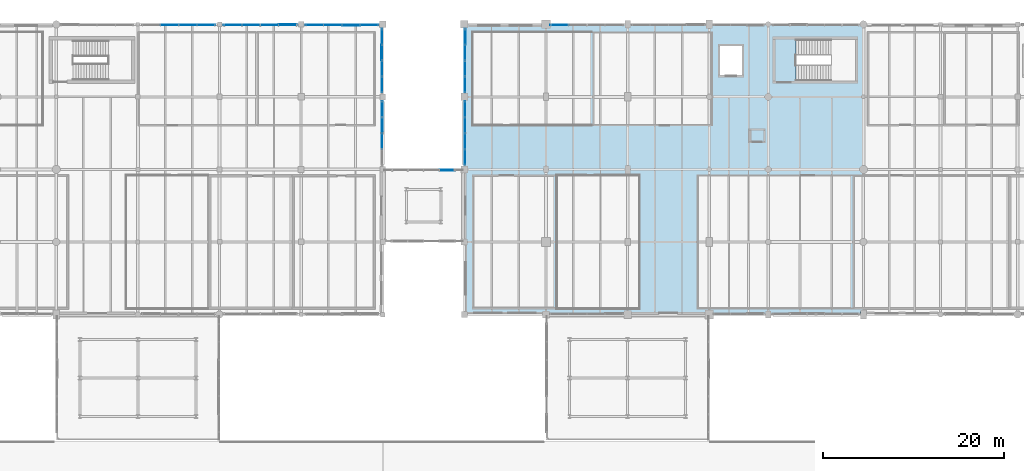
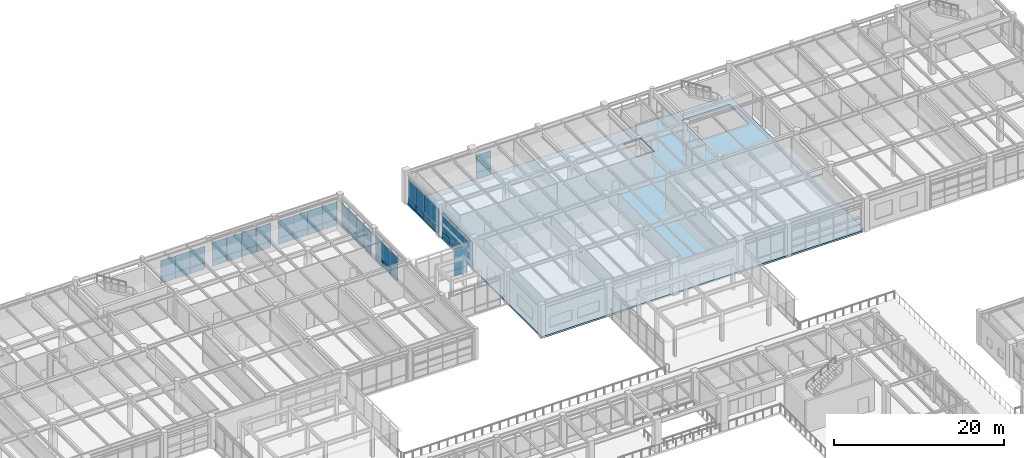
# One storey, part 162 of 200: 56 plates, 1 slab, 9 elements without a shape of their own.
"""IFC4 building model written with IfcOpenShell, lengths in metres."""

import ifcopenshell
import ifcopenshell.guid

model = None  # the IFC model being written
_history = None  # IfcOwnerHistory: only IFC2X3 demands one
_inside = {}  # id of a spatial element -> (the spatial element, [elements in it])
_under = {}  # id of a project, library or spatial element -> (it, [spatial elements below it])
_declared = {}  # id of a project -> (the project, [libraries it declares])
_typed = {}  # id of a type object -> (the type object, [elements of that type])
_made_of = {}  # id of a material, layer set ... -> (it, [elements and type objects made of it])


def new_model(schema):
    """Start an empty IFC model of exactly this schema.

    Asked for "IFC4X3", IfcOpenShell would pick the latest addendum, in which some entities
    have other attributes; the version numbers below select the first issue.
    IFC2X3 requires an IfcOwnerHistory on every rooted entity: one is made here for all.
    """
    global model, _history
    if schema == "IFC4X3":
        model = ifcopenshell.file(schema_version=(4, 3, 0, 0))
    else:
        model = ifcopenshell.file(schema=schema)
    _inside.clear()
    _under.clear()
    _declared.clear()
    _typed.clear()
    _made_of.clear()
    _history = None
    if model.schema == "IFC2X3":
        org = make("IfcOrganization", Name="unknown")
        user = make(
            "IfcPersonAndOrganization",
            ThePerson=make("IfcPerson", FamilyName="unknown"),
            TheOrganization=org,
        )
        app = make(
            "IfcApplication",
            ApplicationDeveloper=org,
            Version="unknown",
            ApplicationFullName="unknown",
            ApplicationIdentifier="unknown",
        )
        _history = make(
            "IfcOwnerHistory",
            OwningUser=user,
            OwningApplication=app,
            ChangeAction="ADDED",
            CreationDate=0,
        )
    return model


def make(cls, **values):
    """One entity of the class cls with the attributes given. An attribute that is None is left unset."""
    return model.create_entity(
        cls, **{name: value for name, value in values.items() if value is not None}
    )


def rooted(cls, **values):
    """An entity with a GlobalId (a new one), such as an element, a storey or a relation."""
    return make(cls, GlobalId=ifcopenshell.guid.new(), OwnerHistory=_history, **values)


def si_unit(unit_type, name, prefix=None):
    """IfcSIUnit, for example si_unit("LENGTHUNIT", "METRE", prefix="MILLI")."""
    return make("IfcSIUnit", UnitType=unit_type, Prefix=prefix, Name=name)


def assignment(units):
    """IfcUnitAssignment: the units of a project."""
    return None if units is None else make("IfcUnitAssignment", Units=units)


def point(xyz):
    """IfcCartesianPoint."""
    return None if xyz is None else make("IfcCartesianPoint", Coordinates=xyz)


def direction(xyz):
    """IfcDirection."""
    return None if xyz is None else make("IfcDirection", DirectionRatios=xyz)


def frame(location, z_axis=None, x_axis=None):
    """IfcAxis2Placement3D, a coordinate frame: its origin and axes. An axis left out is left unset."""
    return make(
        "IfcAxis2Placement3D",
        Location=point(location),
        Axis=direction(z_axis),
        RefDirection=direction(x_axis),
    )


def frame_2d(location, x_axis=None):
    """IfcAxis2Placement2D, a coordinate frame in the plane: its origin and x axis."""
    return make(
        "IfcAxis2Placement2D", Location=point(location), RefDirection=direction(x_axis)
    )


def origin():
    """The frame at (0, 0, 0) with its axes left unset."""
    return frame((0.0, 0.0, 0.0))


def origin_2d():
    """The frame at (0, 0) in the plane with its x axis left unset."""
    return frame_2d((0.0, 0.0))


def place(relative_to, where):
    """IfcLocalPlacement: puts the frame where relative to a parent placement (None: the world)."""
    return make(
        "IfcLocalPlacement", PlacementRelTo=relative_to, RelativePlacement=where
    )


def context(
    kind, dimensions, precision=None, world=None, true_north=None, identifier=None
):
    """IfcGeometricRepresentationContext, for example the 3D "Model" context."""
    return make(
        "IfcGeometricRepresentationContext",
        ContextIdentifier=identifier,
        ContextType=kind,
        CoordinateSpaceDimension=dimensions,
        Precision=precision,
        WorldCoordinateSystem=world,
        TrueNorth=true_north,
    )


def subcontext(parent, identifier, kind, view, scale=None):
    """IfcGeometricRepresentationSubContext, for example "Body" below "Model"."""
    return make(
        "IfcGeometricRepresentationSubContext",
        ContextIdentifier=identifier,
        ContextType=kind,
        ParentContext=parent,
        TargetScale=scale,
        TargetView=view,
    )


def project(units=None, contexts=None):
    """IfcProject with its units and contexts."""
    return rooted(
        "IfcProject",
        Name="project",
        RepresentationContexts=contexts,
        UnitsInContext=assignment(units),
    )


def spatial(cls, under=None, at=None, **own):
    """A site, building, storey or space (cls), placed at a placement, below another one or the project."""
    s = rooted(cls, ObjectPlacement=at, **own)
    if under is not None:
        _under.setdefault(under.id(), (under, []))[1].append(s)
    return s


def polyline(points):
    """IfcPolyline through the points."""
    return make("IfcPolyline", Points=[point(p) for p in points])


def profile(cls, at=None, kind="AREA", **sizes):
    """A parametric profile (cls). Its sizes go by their IFC names, for example OverallWidth=200.0."""
    return make(cls, ProfileType=kind, Position=at, **sizes)


def rectangle(**sizes):
    """IfcRectangleProfileDef."""
    return profile("IfcRectangleProfileDef", **sizes)


def outline(outer, holes=None, kind="AREA"):
    """IfcArbitraryClosedProfileDef: a profile drawn as a closed curve; with holes, ...WithVoids."""
    if holes is None:
        return make("IfcArbitraryClosedProfileDef", ProfileType=kind, OuterCurve=outer)
    return make(
        "IfcArbitraryProfileDefWithVoids",
        ProfileType=kind,
        OuterCurve=outer,
        InnerCurves=holes,
    )


def extrude(swept, where, along, depth):
    """IfcExtrudedAreaSolid: the profile swept, set in the frame where, extruded along a direction by depth."""
    return make(
        "IfcExtrudedAreaSolid",
        SweptArea=swept,
        Position=where,
        ExtrudedDirection=direction(along),
        Depth=depth,
    )


def shape(context_of_items, identifier, shape_type, items):
    """IfcShapeRepresentation: the items that make up one representation, for example the "Body"."""
    return make(
        "IfcShapeRepresentation",
        ContextOfItems=context_of_items,
        RepresentationIdentifier=identifier,
        RepresentationType=shape_type,
        Items=items,
    )


def material(Name=None, Category=None):
    """IfcMaterial."""
    return make("IfcMaterial", Name=Name, Category=Category)


def layer(
    of_material, thickness, ventilated=None, Name=None, Category=None, Priority=None
):
    """IfcMaterialLayer: one layer of a wall or slab, of a material (None: an air gap)."""
    return make(
        "IfcMaterialLayer",
        Material=of_material,
        LayerThickness=thickness,
        IsVentilated=ventilated,
        Name=Name,
        Category=Category,
        Priority=Priority,
    )


def layer_set(layers, Name=None):
    """IfcMaterialLayerSet."""
    return make("IfcMaterialLayerSet", MaterialLayers=layers, LayerSetName=Name)


def made_of(thing, what):
    """Note that an element or type object is made of a material, layer set ...; save() writes the relation."""
    if what is not None:
        _made_of.setdefault(what.id(), (what, []))[1].append(thing)
    return thing


def type_object(cls, material=None, **own):
    """A type object (cls), such as IfcWallType, which elements share."""
    return made_of(rooted(cls, **own), material)


def element(
    cls,
    number,
    at=None,
    inside=None,
    cuts=None,
    type_object=None,
    material=None,
    context=None,
    identifier="Body",
    shape_type=None,
    held_by="IfcProductDefinitionShape",
    body=None,
    shapes=None,
    **own,
):
    """One element of the class cls, such as IfcWall. Its Tag is "e" and its number.

    at: its placement. inside: the storey or other place that contains it. cuts: it is an
    opening in that element (IfcRelVoidsElement). A single representation is given by context,
    identifier, shape_type and body (its items); several are given by shapes. held_by: the class
    of the entity that holds the representations. save() writes the other relations.
    """
    e = rooted(cls, Tag="e%d" % number, ObjectPlacement=at, **own)
    if body is not None:
        shapes = [shape(context, identifier, shape_type, body)]
    if shapes is not None:
        e.Representation = make(held_by, Representations=shapes)
    if inside is not None:
        _inside.setdefault(inside.id(), (inside, []))[1].append(e)
    if cuts is not None:
        rooted(
            "IfcRelVoidsElement", RelatingBuildingElement=cuts, RelatedOpeningElement=e
        )
    if type_object is not None:
        _typed.setdefault(type_object.id(), (type_object, []))[1].append(e)
    return made_of(e, material)


def aggregate(whole, parts):
    """IfcRelAggregates: a whole, such as a stair, and the parts it consists of."""
    return rooted("IfcRelAggregates", RelatingObject=whole, RelatedObjects=parts)


def save(model, path):
    """Write the relations noted so far, then the file.

    IfcRelAggregates (storeys below a building ...), IfcRelContainedInSpatialStructure (elements
    in a storey), IfcRelDefinesByType, IfcRelAssociatesMaterial and IfcRelDeclares: one each for
    every whole, place, type object, material and project.
    """
    for whole, parts in _under.values():
        aggregate(whole, parts)
    for where, things in _inside.values():
        rooted(
            "IfcRelContainedInSpatialStructure",
            RelatedElements=things,
            RelatingStructure=where,
        )
    for kind, things in _typed.values():
        rooted("IfcRelDefinesByType", RelatedObjects=things, RelatingType=kind)
    for what, things in _made_of.values():
        rooted("IfcRelAssociatesMaterial", RelatedObjects=things, RelatingMaterial=what)
    for by, libraries in _declared.values():
        rooted("IfcRelDeclares", RelatingContext=by, RelatedDefinitions=libraries)
    model.write(path)


model = new_model("IFC4")

# Units and contexts
model_context = context("Model", 3, precision=1e-05, world=origin(), true_north=direction((0.0, 1.0)))
body_context = subcontext(model_context, "Body", "Model", "MODEL_VIEW")
ifc_project = project(units=[si_unit("LENGTHUNIT", "METRE"), si_unit("AREAUNIT", "SQUARE_METRE"), si_unit("VOLUMEUNIT", "CUBIC_METRE"), si_unit("PLANEANGLEUNIT", "RADIAN"), si_unit("MASSUNIT", "GRAM", prefix="KILO"), si_unit("THERMODYNAMICTEMPERATUREUNIT", "KELVIN"), si_unit("POWERUNIT", "WATT")], contexts=[model_context])

# Site, building, storey
site_placement = place(None, origin())
site = spatial("IfcSite", under=ifc_project, at=site_placement, CompositionType="ELEMENT")
building_placement = place(site_placement, origin())
building = spatial("IfcBuilding", under=site, at=building_placement, Name="Tepalcoro Natatorium and Aquatics Centre", CompositionType="ELEMENT")
storey_placement = place(building_placement, frame((0.0, 0.0, 5.39990234375)))
storey = spatial("IfcBuildingStorey", under=building, at=storey_placement, Name="L01", CompositionType="ELEMENT", Elevation=5.39990234375)

# Curtain wall, plate
ifc_material_1 = material(Name="Bronze-Anodised Extruded Aluminium Alloy EN AW-6063 T6", Category="aluminium")
curtain_wall_type_1 = type_object("IfcCurtainWallType", Name="CW_V3_FOYER", PredefinedType="USERDEFINED", material=ifc_material_1)
curtain_wall_1_placement = place(storey_placement, origin())
curtain_wall_1 = element("IfcCurtainWall", 1, at=curtain_wall_1_placement, inside=storey, type_object=curtain_wall_type_1, Name="V4 L01 N Unitised Curtain Wall Bay 7", ObjectType="UNITISED STOREFRONT", PredefinedType="USERDEFINED")
ifc_material_2 = material(Name="Solar-Control Bronze Tempered Low-E Double Glazing", Category="glass")
ifc_layer_1 = layer(ifc_material_2, 0.048095703125)
ifc_layer_set_1 = layer_set([ifc_layer_1], Name="Solar-Control Bronze Tempered Low-E Double Glazing")
plate_type_1 = type_object("IfcPlateType", Name="PL_ACOUSTIC_IGU_48", PredefinedType="CURTAIN_PANEL", material=ifc_layer_set_1)
plate_1_placement = place(storey_placement, frame((65.4951171875, 117.919921875, 0.960205078125), z_axis=(0.0, 0.0, 1.0), x_axis=(1.0, 0.0, 0.0)))
plate_1 = element("IfcPlate", 2, at=plate_1_placement, type_object=plate_type_1, Name="CW_V3_FOYER Insulated Glazing Unit", PredefinedType="CURTAIN_PANEL", context=body_context, shape_type="SweptSolid", body=[
    extrude(rectangle(XDim=1.989990234375, YDim=0.048095703125, at=origin_2d()), origin(), (0.0, 0.0, 1.0), 2.337890625),
])

# Curtain wall, plates
curtain_wall_type_2 = type_object("IfcCurtainWallType", Name="CW_V4_VILLAGE", PredefinedType="USERDEFINED", material=ifc_material_1)
curtain_wall_2_placement = place(storey_placement, origin())
curtain_wall_2 = element("IfcCurtainWall", 3, at=curtain_wall_2_placement, inside=storey, type_object=curtain_wall_type_2, Name="V4 L01 N Unitised Curtain Wall Bay 8", ObjectType="UNITISED STOREFRONT", PredefinedType="USERDEFINED")
plate_2_placement = place(storey_placement, frame((72.485107421875, 117.923828125, 0.9599609375), z_axis=(0.0, 0.0, 1.0), x_axis=(1.0, 0.0, 0.0)))
plate_2 = element("IfcPlate", 4, at=plate_2_placement, type_object=plate_type_1, Name="CW_V4_VILLAGE Insulated Glazing Unit", PredefinedType="CURTAIN_PANEL", context=body_context, shape_type="SweptSolid", body=[
    extrude(rectangle(XDim=1.989990234375, YDim=0.048095703125, at=origin_2d()), origin(), (0.0, 0.0, 1.0), 2.537109375),
])
plate_3_placement = place(storey_placement, frame((78.514892578125, 117.923828125, 0.9599609375), z_axis=(0.0, 0.0, 1.0), x_axis=(1.0, 0.0, 0.0)))
plate_3 = element("IfcPlate", 5, at=plate_3_placement, type_object=plate_type_1, Name="CW_V4_VILLAGE Insulated Glazing Unit", PredefinedType="CURTAIN_PANEL", context=body_context, shape_type="SweptSolid", body=[
    extrude(rectangle(XDim=1.989990234375, YDim=0.048095703125, at=origin_2d()), origin(), (0.0, 0.0, 1.0), 2.537109375),
])

# Curtain wall, plate
curtain_wall_type_3 = type_object("IfcCurtainWallType", Name="CW_V5_LOWER", PredefinedType="USERDEFINED", material=ifc_material_1)
curtain_wall_3_placement = place(storey_placement, origin())
curtain_wall_3 = element("IfcCurtainWall", 6, at=curtain_wall_3_placement, inside=storey, type_object=curtain_wall_type_3, Name="V4 L01 N Unitised Curtain Wall Bay 9", ObjectType="UNITISED STOREFRONT", PredefinedType="USERDEFINED")
plate_4_placement = place(storey_placement, frame((85.5048828125, 117.919921875, 0.9599609375), z_axis=(0.0, 0.0, 1.0), x_axis=(1.0, 0.0, 0.0)))
plate_4 = element("IfcPlate", 7, at=plate_4_placement, type_object=plate_type_1, Name="CW_V5_LOWER Insulated Glazing Unit", PredefinedType="CURTAIN_PANEL", context=body_context, shape_type="SweptSolid", body=[
    extrude(rectangle(XDim=1.989990234375, YDim=0.048095703125, at=origin_2d()), origin(), (0.0, 0.0, 1.0), 2.489990234375),
])

curtain_wall_type_4 = type_object("IfcCurtainWallType", Name="CW_LEAN_T2_EW", PredefinedType="USERDEFINED", material=ifc_material_1)
curtain_wall_4_placement = place(storey_placement, origin())
curtain_wall_4 = element("IfcCurtainWall", 8, at=curtain_wall_4_placement, inside=storey, type_object=curtain_wall_type_4, Name="V4 L01 E Unitised Curtain Wall Bay 3", ObjectType="FACETED SOLAR GLAZING", PredefinedType="USERDEFINED")
plate_5_placement = place(storey_placement, frame((88.9287109375, 105.1201171875, 0.9599609375), z_axis=(0.0, 0.0, 1.0), x_axis=(1.0, 0.0, 0.0)))
plate_5 = element("IfcPlate", 9, at=plate_5_placement, type_object=plate_type_1, Name="CW_LEAN_T2_EW Insulated Glazing Unit", PredefinedType="CURTAIN_PANEL", context=body_context, shape_type="SweptSolid", body=[
    extrude(rectangle(XDim=0.048095703125, YDim=1.739990234375, at=origin_2d()), origin(), (0.0, 0.0, 1.0), 2.489990234375),
])

# Curtain wall, plates
curtain_wall_type_5 = type_object("IfcCurtainWallType", Name="CW_V1_PLINTH", PredefinedType="USERDEFINED", material=ifc_material_1)
curtain_wall_5_placement = place(storey_placement, origin())
curtain_wall_5 = element("IfcCurtainWall", 10, at=curtain_wall_5_placement, inside=storey, type_object=curtain_wall_type_5, Name="V4 L01 E Unitised Curtain Wall Bay 4", ObjectType="UNITISED STOREFRONT", PredefinedType="USERDEFINED")
plate_6_placement = place(storey_placement, frame((88.909912109375, 111.360107421875, 0.9599609375), z_axis=(0.0, 0.0, 1.0), x_axis=(1.0, 0.0, 0.0)))
plate_6 = element("IfcPlate", 11, at=plate_6_placement, type_object=plate_type_1, Name="CW_V1_PLINTH Insulated Glazing Unit", PredefinedType="CURTAIN_PANEL", context=body_context, shape_type="SweptSolid", body=[
    extrude(rectangle(XDim=0.048095703125, YDim=1.739990234375, at=origin_2d()), origin(), (0.0, 0.0, 1.0), 2.4140625),
])
plate_7_placement = place(storey_placement, frame((88.909912109375, 116.639892578125, 0.9599609375), z_axis=(0.0, 0.0, 1.0), x_axis=(1.0, 0.0, 0.0)))
plate_7 = element("IfcPlate", 12, at=plate_7_placement, type_object=plate_type_1, Name="CW_V1_PLINTH Insulated Glazing Unit", PredefinedType="CURTAIN_PANEL", context=body_context, shape_type="SweptSolid", body=[
    extrude(rectangle(XDim=0.048095703125, YDim=1.739990234375, at=origin_2d()), origin(), (0.0, 0.0, 1.0), 2.4140625),
])

# Curtain wall, plate
curtain_wall_type_6 = type_object("IfcCurtainWallType", Name="CW_LEAN_T1_EW", PredefinedType="USERDEFINED", material=ifc_material_1)
curtain_wall_6_placement = place(storey_placement, origin())
curtain_wall_6 = element("IfcCurtainWall", 13, at=curtain_wall_6_placement, inside=storey, type_object=curtain_wall_type_6, Name="V5 L01 N Unitised Curtain Wall Bay 2", ObjectType="FACETED SOLAR GLAZING", PredefinedType="USERDEFINED")
plate_8_placement = place(storey_placement, frame((108.485107421875, 117.9287109375, 0.9599609375), z_axis=(0.0, 0.0, 1.0), x_axis=(1.0, 0.0, 0.0)))
plate_8 = element("IfcPlate", 14, at=plate_8_placement, type_object=plate_type_1, Name="CW_LEAN_T1_EW Insulated Glazing Unit", PredefinedType="CURTAIN_PANEL", context=body_context, shape_type="SweptSolid", body=[
    extrude(rectangle(XDim=1.989990234375, YDim=0.048095703125, at=origin_2d()), origin(), (0.0, 0.0, 1.0), 2.47412109375),
])

curtain_wall_7_placement = place(storey_placement, origin())
curtain_wall_7 = element("IfcCurtainWall", 15, at=curtain_wall_7_placement, inside=storey, type_object=curtain_wall_type_6, Name="V5 L01 W Unitised Curtain Wall Bay 3", ObjectType="FACETED SOLAR GLAZING", PredefinedType="USERDEFINED")
plate_9_placement = place(storey_placement, frame((98.0712890625, 105.1201171875, 0.9599609375), z_axis=(0.0, 0.0, 1.0), x_axis=(1.0, 0.0, 0.0)))
plate_9 = element("IfcPlate", 16, at=plate_9_placement, type_object=plate_type_1, Name="CW_LEAN_T1_EW Insulated Glazing Unit", PredefinedType="CURTAIN_PANEL", context=body_context, shape_type="SweptSolid", body=[
    extrude(rectangle(XDim=0.048095703125, YDim=1.739990234375, at=origin_2d()), origin(), (0.0, 0.0, 1.0), 2.596923828125),
])

# Curtain wall, plates
curtain_wall_type_7 = type_object("IfcCurtainWallType", Name="CW_LEAN_T2_NS", PredefinedType="USERDEFINED", material=ifc_material_1)
curtain_wall_8_placement = place(storey_placement, origin())
curtain_wall_8 = element("IfcCurtainWall", 17, at=curtain_wall_8_placement, inside=storey, type_object=curtain_wall_type_7, Name="V5 L01 W Unitised Curtain Wall Bay 4", ObjectType="FACETED SOLAR GLAZING", PredefinedType="USERDEFINED")
plate_10_placement = place(storey_placement, frame((98.076171875, 111.360107421875, 0.9599609375), z_axis=(0.0, 0.0, 1.0), x_axis=(1.0, 0.0, 0.0)))
plate_10 = element("IfcPlate", 18, at=plate_10_placement, type_object=plate_type_1, Name="CW_LEAN_T2_NS Insulated Glazing Unit", PredefinedType="CURTAIN_PANEL", context=body_context, shape_type="SweptSolid", body=[
    extrude(rectangle(XDim=0.048095703125, YDim=1.739990234375, at=origin_2d()), origin(), (0.0, 0.0, 1.0), 2.550048828125),
])
plate_11_placement = place(storey_placement, frame((98.076171875, 116.639892578125, 0.9599609375), z_axis=(0.0, 0.0, 1.0), x_axis=(1.0, 0.0, 0.0)))
plate_11 = element("IfcPlate", 19, at=plate_11_placement, type_object=plate_type_1, Name="CW_LEAN_T2_NS Insulated Glazing Unit", PredefinedType="CURTAIN_PANEL", context=body_context, shape_type="SweptSolid", body=[
    extrude(rectangle(XDim=0.048095703125, YDim=1.739990234375, at=origin_2d()), origin(), (0.0, 0.0, 1.0), 2.550048828125),
])

# Curtain wall, plate
curtain_wall_type_8 = type_object("IfcCurtainWallType", Name="CW_LINK_150", PredefinedType="USERDEFINED", material=ifc_material_1)
curtain_wall_9_placement = place(storey_placement, origin())
curtain_wall_9 = element("IfcCurtainWall", 20, at=curtain_wall_9_placement, inside=storey, type_object=curtain_wall_type_8, Name="North Spine Seismic Link Glazed Wall N L01", ObjectType="UNITISED STOREFRONT", PredefinedType="USERDEFINED")
plate_12_placement = place(storey_placement, frame((96.125, 101.919921875, 0.9599609375), z_axis=(0.0, 0.0, 1.0), x_axis=(1.0, 0.0, 0.0)))
plate_12 = element("IfcPlate", 21, at=plate_12_placement, type_object=plate_type_1, Name="CW_LINK_150 Insulated Glazing Unit", PredefinedType="CURTAIN_PANEL", context=body_context, shape_type="SweptSolid", body=[
    extrude(rectangle(XDim=1.72998046875, YDim=0.048095703125, at=origin_2d()), origin(), (0.0, 0.0, 1.0), 2.679931640625),
])

# Plate
ifc_layer_2 = layer(ifc_material_2, 0.028076171875)
ifc_layer_set_2 = layer_set([ifc_layer_2], Name="Solar-Control Bronze Tempered Low-E Double Glazing")
plate_type_2 = type_object("IfcPlateType", Name="PL_BRONZE_IGU_28", PredefinedType="CURTAIN_PANEL", material=ifc_layer_set_2)
plate_13_placement = place(storey_placement, frame((69.514892578125, 117.919921875, 0.960205078125), z_axis=(0.0, 0.0, 1.0), x_axis=(1.0, 0.0, 0.0)))
plate_13 = element("IfcPlate", 22, at=plate_13_placement, type_object=plate_type_2, Name="CW_V3_FOYER Insulated Glazing Unit", PredefinedType="CURTAIN_PANEL", context=body_context, shape_type="SweptSolid", body=[
    extrude(rectangle(XDim=1.989990234375, YDim=0.028076171875, at=origin_2d()), origin(), (0.0, 0.0, 1.0), 2.337890625),
])

plate_14_placement = place(storey_placement, frame((76.5048828125, 117.923828125, 0.9599609375), z_axis=(0.0, 0.0, 1.0), x_axis=(1.0, 0.0, 0.0)))
plate_14 = element("IfcPlate", 23, at=plate_14_placement, type_object=plate_type_2, Name="CW_V4_VILLAGE Insulated Glazing Unit", PredefinedType="CURTAIN_PANEL", context=body_context, shape_type="SweptSolid", body=[
    extrude(rectangle(XDim=1.989990234375, YDim=0.028076171875, at=origin_2d()), origin(), (0.0, 0.0, 1.0), 2.537109375),
])

plate_15_placement = place(storey_placement, frame((83.4951171875, 117.919921875, 0.9599609375), z_axis=(0.0, 0.0, 1.0), x_axis=(1.0, 0.0, 0.0)))
plate_15 = element("IfcPlate", 24, at=plate_15_placement, type_object=plate_type_2, Name="CW_V5_LOWER Insulated Glazing Unit", PredefinedType="CURTAIN_PANEL", context=body_context, shape_type="SweptSolid", body=[
    extrude(rectangle(XDim=1.989990234375, YDim=0.028076171875, at=origin_2d()), origin(), (0.0, 0.0, 1.0), 2.489990234375),
])

plate_16_placement = place(storey_placement, frame((88.9287109375, 108.639892578125, 0.9599609375), z_axis=(0.0, 0.0, 1.0), x_axis=(1.0, 0.0, 0.0)))
plate_16 = element("IfcPlate", 25, at=plate_16_placement, type_object=plate_type_2, Name="CW_LEAN_T2_EW Insulated Glazing Unit", PredefinedType="CURTAIN_PANEL", context=body_context, shape_type="SweptSolid", body=[
    extrude(rectangle(XDim=0.028076171875, YDim=1.739990234375, at=origin_2d()), origin(), (0.0, 0.0, 1.0), 2.489990234375),
])

plate_17_placement = place(storey_placement, frame((88.909912109375, 114.8798828125, 0.9599609375), z_axis=(0.0, 0.0, 1.0), x_axis=(1.0, 0.0, 0.0)))
plate_17 = element("IfcPlate", 26, at=plate_17_placement, type_object=plate_type_2, Name="CW_V1_PLINTH Insulated Glazing Unit", PredefinedType="CURTAIN_PANEL", context=body_context, shape_type="SweptSolid", body=[
    extrude(rectangle(XDim=0.028076171875, YDim=1.739990234375, at=origin_2d()), origin(), (0.0, 0.0, 1.0), 2.4140625),
])

plate_18_placement = place(storey_placement, frame((98.0712890625, 103.360107421875, 0.9599609375), z_axis=(0.0, 0.0, 1.0), x_axis=(1.0, 0.0, 0.0)))
plate_18 = element("IfcPlate", 27, at=plate_18_placement, type_object=plate_type_2, Name="CW_LEAN_T1_EW Insulated Glazing Unit", PredefinedType="CURTAIN_PANEL", context=body_context, shape_type="SweptSolid", body=[
    extrude(rectangle(XDim=0.028076171875, YDim=1.739990234375, at=origin_2d()), origin(), (0.0, 0.0, 1.0), 2.596923828125),
])

plate_19_placement = place(storey_placement, frame((98.0712890625, 108.639892578125, 0.9599609375), z_axis=(0.0, 0.0, 1.0), x_axis=(1.0, 0.0, 0.0)))
plate_19 = element("IfcPlate", 28, at=plate_19_placement, type_object=plate_type_2, Name="CW_LEAN_T1_EW Insulated Glazing Unit", PredefinedType="CURTAIN_PANEL", context=body_context, shape_type="SweptSolid", body=[
    extrude(rectangle(XDim=0.028076171875, YDim=1.739990234375, at=origin_2d()), origin(), (0.0, 0.0, 1.0), 2.596923828125),
])

plate_20_placement = place(storey_placement, frame((98.076171875, 114.8798828125, 0.9599609375), z_axis=(0.0, 0.0, 1.0), x_axis=(1.0, 0.0, 0.0)))
plate_20 = element("IfcPlate", 29, at=plate_20_placement, type_object=plate_type_2, Name="CW_LEAN_T2_NS Insulated Glazing Unit", PredefinedType="CURTAIN_PANEL", context=body_context, shape_type="SweptSolid", body=[
    extrude(rectangle(XDim=0.028076171875, YDim=1.739990234375, at=origin_2d()), origin(), (0.0, 0.0, 1.0), 2.550048828125),
])

ifc_material_3 = material(Name="Jalisco Cantera Rosa Volcanic Tuff Ashlar Masonry", Category="masonry")
ifc_layer_3 = layer(ifc_material_3, 0.090087890625)
ifc_layer_set_3 = layer_set([ifc_layer_3], Name="Jalisco Cantera Rosa Volcanic Tuff Ashlar Masonry")
plate_type_3 = type_object("IfcPlateType", Name="PL_CANTERA_90", PredefinedType="SHEET", material=ifc_layer_set_3)
plate_21_placement = place(storey_placement, frame((69.514892578125, 117.919921875, 0.044921875), z_axis=(0.0, 0.0, 1.0), x_axis=(1.0, 0.0, 0.0)))
plate_21 = element("IfcPlate", 30, at=plate_21_placement, type_object=plate_type_3, Name="CW_V3_FOYER Spandrel & Screen Panel", PredefinedType="SHEET", context=body_context, shape_type="SweptSolid", body=[
    extrude(rectangle(XDim=1.989990234375, YDim=0.090087890625, at=origin_2d()), origin(), (0.0, 0.0, 1.0), 0.909912109375),
])

plate_22_placement = place(storey_placement, frame((76.5048828125, 117.923828125, 0.044921875), z_axis=(0.0, 0.0, 1.0), x_axis=(1.0, 0.0, 0.0)))
plate_22 = element("IfcPlate", 31, at=plate_22_placement, type_object=plate_type_3, Name="CW_V4_VILLAGE Spandrel & Screen Panel", PredefinedType="SHEET", context=body_context, shape_type="SweptSolid", body=[
    extrude(rectangle(XDim=1.989990234375, YDim=0.090087890625, at=origin_2d()), origin(), (0.0, 0.0, 1.0), 0.909912109375),
])

plate_23_placement = place(storey_placement, frame((83.4951171875, 117.919921875, 0.044921875), z_axis=(0.0, 0.0, 1.0), x_axis=(1.0, 0.0, 0.0)))
plate_23 = element("IfcPlate", 32, at=plate_23_placement, type_object=plate_type_3, Name="CW_V5_LOWER Spandrel & Screen Panel", PredefinedType="SHEET", context=body_context, shape_type="SweptSolid", body=[
    extrude(rectangle(XDim=1.989990234375, YDim=0.090087890625, at=origin_2d()), origin(), (0.0, 0.0, 1.0), 0.909912109375),
])

plate_24_placement = place(storey_placement, frame((88.9287109375, 106.8798828125, 0.044921875), z_axis=(0.0, 0.0, 1.0), x_axis=(1.0, 0.0, 0.0)))
plate_24 = element("IfcPlate", 33, at=plate_24_placement, type_object=plate_type_3, Name="CW_LEAN_T2_EW Spandrel & Screen Panel", PredefinedType="SHEET", context=body_context, shape_type="SweptSolid", body=[
    extrude(rectangle(XDim=0.090087890625, YDim=1.739990234375, at=origin_2d()), origin(), (0.0, 0.0, 1.0), 0.909912109375),
])

plate_25_placement = place(storey_placement, frame((88.909912109375, 113.1201171875, 0.044921875), z_axis=(0.0, 0.0, 1.0), x_axis=(1.0, 0.0, 0.0)))
plate_25 = element("IfcPlate", 34, at=plate_25_placement, type_object=plate_type_3, Name="CW_V1_PLINTH Spandrel & Screen Panel", PredefinedType="SHEET", context=body_context, shape_type="SweptSolid", body=[
    extrude(rectangle(XDim=0.090087890625, YDim=1.739990234375, at=origin_2d()), origin(), (0.0, 0.0, 1.0), 0.909912109375),
])

plate_26_placement = place(storey_placement, frame((98.0712890625, 108.639892578125, 0.044921875), z_axis=(0.0, 0.0, 1.0), x_axis=(1.0, 0.0, 0.0)))
plate_26 = element("IfcPlate", 35, at=plate_26_placement, type_object=plate_type_3, Name="CW_LEAN_T1_EW Spandrel & Screen Panel", PredefinedType="SHEET", context=body_context, shape_type="SweptSolid", body=[
    extrude(rectangle(XDim=0.090087890625, YDim=1.739990234375, at=origin_2d()), origin(), (0.0, 0.0, 1.0), 0.909912109375),
])

plate_27_placement = place(storey_placement, frame((98.076171875, 114.8798828125, 0.044921875), z_axis=(0.0, 0.0, 1.0), x_axis=(1.0, 0.0, 0.0)))
plate_27 = element("IfcPlate", 36, at=plate_27_placement, type_object=plate_type_3, Name="CW_LEAN_T2_NS Spandrel & Screen Panel", PredefinedType="SHEET", context=body_context, shape_type="SweptSolid", body=[
    extrude(rectangle(XDim=0.090087890625, YDim=1.739990234375, at=origin_2d()), origin(), (0.0, 0.0, 1.0), 0.909912109375),
])

plate_28_placement = place(storey_placement, frame((96.125, 101.919921875, 0.044921875), z_axis=(0.0, 0.0, 1.0), x_axis=(1.0, 0.0, 0.0)))
plate_28 = element("IfcPlate", 37, at=plate_28_placement, type_object=plate_type_3, Name="CW_LINK_150 Spandrel & Screen Panel", PredefinedType="SHEET", context=body_context, shape_type="SweptSolid", body=[
    extrude(rectangle(XDim=1.72998046875, YDim=0.090087890625, at=origin_2d()), origin(), (0.0, 0.0, 1.0), 0.909912109375),
])

aggregate(curtain_wall_9, [plate_12, plate_28])

ifc_material_4 = material(Name="Clear Tempered Low-E Safety Glazing", Category="glass")
ifc_layer_4 = layer(ifc_material_4, 0.011962890625)
ifc_layer_set_4 = layer_set([ifc_layer_4], Name="Clear Tempered Low-E Safety Glazing")
plate_type_4 = type_object("IfcPlateType", Name="PL_GLASS_12", PredefinedType="CURTAIN_PANEL", material=ifc_layer_set_4)
plate_29_placement = place(storey_placement, frame((67.5048828125, 117.919921875, 0.960205078125), z_axis=(0.0, 0.0, 1.0), x_axis=(1.0, 0.0, 0.0)))
plate_29 = element("IfcPlate", 38, at=plate_29_placement, type_object=plate_type_4, Name="CW_V3_FOYER Insulated Glazing Unit", PredefinedType="CURTAIN_PANEL", context=body_context, shape_type="SweptSolid", body=[
    extrude(rectangle(XDim=1.989990234375, YDim=0.011962890625, at=origin_2d()), origin(), (0.0, 0.0, 1.0), 2.337890625),
])

plate_30_placement = place(storey_placement, frame((74.4951171875, 117.923828125, 0.9599609375), z_axis=(0.0, 0.0, 1.0), x_axis=(1.0, 0.0, 0.0)))
plate_30 = element("IfcPlate", 39, at=plate_30_placement, type_object=plate_type_4, Name="CW_V4_VILLAGE Insulated Glazing Unit", PredefinedType="CURTAIN_PANEL", context=body_context, shape_type="SweptSolid", body=[
    extrude(rectangle(XDim=1.989990234375, YDim=0.011962890625, at=origin_2d()), origin(), (0.0, 0.0, 1.0), 2.537109375),
])

plate_31_placement = place(storey_placement, frame((81.485107421875, 117.919921875, 0.9599609375), z_axis=(0.0, 0.0, 1.0), x_axis=(1.0, 0.0, 0.0)))
plate_31 = element("IfcPlate", 40, at=plate_31_placement, type_object=plate_type_4, Name="CW_V5_LOWER Insulated Glazing Unit", PredefinedType="CURTAIN_PANEL", context=body_context, shape_type="SweptSolid", body=[
    extrude(rectangle(XDim=1.989990234375, YDim=0.011962890625, at=origin_2d()), origin(), (0.0, 0.0, 1.0), 2.489990234375),
])

plate_32_placement = place(storey_placement, frame((87.514892578125, 117.919921875, 0.9599609375), z_axis=(0.0, 0.0, 1.0), x_axis=(1.0, 0.0, 0.0)))
plate_32 = element("IfcPlate", 41, at=plate_32_placement, type_object=plate_type_4, Name="CW_V5_LOWER Insulated Glazing Unit", PredefinedType="CURTAIN_PANEL", context=body_context, shape_type="SweptSolid", body=[
    extrude(rectangle(XDim=1.989990234375, YDim=0.011962890625, at=origin_2d()), origin(), (0.0, 0.0, 1.0), 2.489990234375),
])

plate_33_placement = place(storey_placement, frame((88.9287109375, 106.8798828125, 0.9599609375), z_axis=(0.0, 0.0, 1.0), x_axis=(1.0, 0.0, 0.0)))
plate_33 = element("IfcPlate", 42, at=plate_33_placement, type_object=plate_type_4, Name="CW_LEAN_T2_EW Insulated Glazing Unit", PredefinedType="CURTAIN_PANEL", context=body_context, shape_type="SweptSolid", body=[
    extrude(rectangle(XDim=0.011962890625, YDim=1.739990234375, at=origin_2d()), origin(), (0.0, 0.0, 1.0), 2.489990234375),
])

plate_34_placement = place(storey_placement, frame((88.909912109375, 113.1201171875, 0.9599609375), z_axis=(0.0, 0.0, 1.0), x_axis=(1.0, 0.0, 0.0)))
plate_34 = element("IfcPlate", 43, at=plate_34_placement, type_object=plate_type_4, Name="CW_V1_PLINTH Insulated Glazing Unit", PredefinedType="CURTAIN_PANEL", context=body_context, shape_type="SweptSolid", body=[
    extrude(rectangle(XDim=0.011962890625, YDim=1.739990234375, at=origin_2d()), origin(), (0.0, 0.0, 1.0), 2.4140625),
])

plate_35_placement = place(storey_placement, frame((98.0712890625, 106.8798828125, 0.9599609375), z_axis=(0.0, 0.0, 1.0), x_axis=(1.0, 0.0, 0.0)))
plate_35 = element("IfcPlate", 44, at=plate_35_placement, type_object=plate_type_4, Name="CW_LEAN_T1_EW Insulated Glazing Unit", PredefinedType="CURTAIN_PANEL", context=body_context, shape_type="SweptSolid", body=[
    extrude(rectangle(XDim=0.011962890625, YDim=1.739990234375, at=origin_2d()), origin(), (0.0, 0.0, 1.0), 2.596923828125),
])

plate_36_placement = place(storey_placement, frame((98.076171875, 113.1201171875, 0.9599609375), z_axis=(0.0, 0.0, 1.0), x_axis=(1.0, 0.0, 0.0)))
plate_36 = element("IfcPlate", 45, at=plate_36_placement, type_object=plate_type_4, Name="CW_LEAN_T2_NS Insulated Glazing Unit", PredefinedType="CURTAIN_PANEL", context=body_context, shape_type="SweptSolid", body=[
    extrude(rectangle(XDim=0.011962890625, YDim=1.739990234375, at=origin_2d()), origin(), (0.0, 0.0, 1.0), 2.550048828125),
])

ifc_material_5 = material(Name="Volcanic Recinto Basalt Ashlar Masonry", Category="masonry")
ifc_layer_5 = layer(ifc_material_5, 0.110107421875)
ifc_layer_set_5 = layer_set([ifc_layer_5], Name="Volcanic Recinto Basalt Ashlar Masonry")
plate_type_5 = type_object("IfcPlateType", Name="PL_RECINTO_110", PredefinedType="SHEET", material=ifc_layer_set_5)
plate_37_placement = place(storey_placement, frame((78.514892578125, 117.923828125, 0.044921875), z_axis=(0.0, 0.0, 1.0), x_axis=(1.0, 0.0, 0.0)))
plate_37 = element("IfcPlate", 46, at=plate_37_placement, type_object=plate_type_5, Name="CW_V4_VILLAGE Spandrel & Screen Panel", PredefinedType="SHEET", context=body_context, shape_type="SweptSolid", body=[
    extrude(rectangle(XDim=1.989990234375, YDim=0.110107421875, at=origin_2d()), origin(), (0.0, 0.0, 1.0), 0.909912109375),
])

plate_38_placement = place(storey_placement, frame((85.5048828125, 117.919921875, 0.044921875), z_axis=(0.0, 0.0, 1.0), x_axis=(1.0, 0.0, 0.0)))
plate_38 = element("IfcPlate", 47, at=plate_38_placement, type_object=plate_type_5, Name="CW_V5_LOWER Spandrel & Screen Panel", PredefinedType="SHEET", context=body_context, shape_type="SweptSolid", body=[
    extrude(rectangle(XDim=1.989990234375, YDim=0.110107421875, at=origin_2d()), origin(), (0.0, 0.0, 1.0), 0.909912109375),
])

plate_39_placement = place(storey_placement, frame((88.9287109375, 108.639892578125, 0.044921875), z_axis=(0.0, 0.0, 1.0), x_axis=(1.0, 0.0, 0.0)))
plate_39 = element("IfcPlate", 48, at=plate_39_placement, type_object=plate_type_5, Name="CW_LEAN_T2_EW Spandrel & Screen Panel", PredefinedType="SHEET", context=body_context, shape_type="SweptSolid", body=[
    extrude(rectangle(XDim=0.110107421875, YDim=1.739990234375, at=origin_2d()), origin(), (0.0, 0.0, 1.0), 0.909912109375),
])

plate_40_placement = place(storey_placement, frame((88.909912109375, 114.8798828125, 0.044921875), z_axis=(0.0, 0.0, 1.0), x_axis=(1.0, 0.0, 0.0)))
plate_40 = element("IfcPlate", 49, at=plate_40_placement, type_object=plate_type_5, Name="CW_V1_PLINTH Spandrel & Screen Panel", PredefinedType="SHEET", context=body_context, shape_type="SweptSolid", body=[
    extrude(rectangle(XDim=0.110107421875, YDim=1.739990234375, at=origin_2d()), origin(), (0.0, 0.0, 1.0), 0.909912109375),
])

plate_41_placement = place(storey_placement, frame((98.076171875, 116.639892578125, 0.044921875), z_axis=(0.0, 0.0, 1.0), x_axis=(1.0, 0.0, 0.0)))
plate_41 = element("IfcPlate", 50, at=plate_41_placement, type_object=plate_type_5, Name="CW_LEAN_T2_NS Spandrel & Screen Panel", PredefinedType="SHEET", context=body_context, shape_type="SweptSolid", body=[
    extrude(rectangle(XDim=0.110107421875, YDim=1.739990234375, at=origin_2d()), origin(), (0.0, 0.0, 1.0), 0.909912109375),
])

ifc_layer_6 = layer(ifc_material_1, 0.050048828125)
ifc_layer_set_6 = layer_set([ifc_layer_6], Name="Bronze-Anodised Extruded Aluminium Alloy EN AW-6063 T6")
plate_type_6 = type_object("IfcPlateType", Name="PL_SCREEN_50", PredefinedType="SHEET", material=ifc_layer_set_6)
plate_42_placement = place(storey_placement, frame((65.4951171875, 117.919921875, 0.044921875), z_axis=(0.0, 0.0, 1.0), x_axis=(1.0, 0.0, 0.0)))
plate_42 = element("IfcPlate", 51, at=plate_42_placement, type_object=plate_type_6, Name="CW_V3_FOYER Spandrel & Screen Panel", PredefinedType="SHEET", context=body_context, shape_type="SweptSolid", body=[
    extrude(rectangle(XDim=1.989990234375, YDim=0.050048828125, at=origin_2d()), origin(), (0.0, 0.0, 1.0), 0.909912109375),
])

plate_43_placement = place(storey_placement, frame((72.485107421875, 117.923828125, 0.044921875), z_axis=(0.0, 0.0, 1.0), x_axis=(1.0, 0.0, 0.0)))
plate_43 = element("IfcPlate", 52, at=plate_43_placement, type_object=plate_type_6, Name="CW_V4_VILLAGE Spandrel & Screen Panel", PredefinedType="SHEET", context=body_context, shape_type="SweptSolid", body=[
    extrude(rectangle(XDim=1.989990234375, YDim=0.050048828125, at=origin_2d()), origin(), (0.0, 0.0, 1.0), 0.909912109375),
])

plate_44_placement = place(storey_placement, frame((98.0712890625, 105.1201171875, 0.044921875), z_axis=(0.0, 0.0, 1.0), x_axis=(1.0, 0.0, 0.0)))
plate_44 = element("IfcPlate", 53, at=plate_44_placement, type_object=plate_type_6, Name="CW_LEAN_T1_EW Spandrel & Screen Panel", PredefinedType="SHEET", context=body_context, shape_type="SweptSolid", body=[
    extrude(rectangle(XDim=0.050048828125, YDim=1.739990234375, at=origin_2d()), origin(), (0.0, 0.0, 1.0), 0.909912109375),
])

plate_45_placement = place(storey_placement, frame((98.076171875, 111.360107421875, 0.044921875), z_axis=(0.0, 0.0, 1.0), x_axis=(1.0, 0.0, 0.0)))
plate_45 = element("IfcPlate", 54, at=plate_45_placement, type_object=plate_type_6, Name="CW_LEAN_T2_NS Spandrel & Screen Panel", PredefinedType="SHEET", context=body_context, shape_type="SweptSolid", body=[
    extrude(rectangle(XDim=0.050048828125, YDim=1.739990234375, at=origin_2d()), origin(), (0.0, 0.0, 1.0), 0.909912109375),
])

ifc_layer_7 = layer(ifc_material_1, 0.06005859375)
ifc_layer_set_7 = layer_set([ifc_layer_7], Name="Bronze-Anodised Extruded Aluminium Alloy EN AW-6063 T6")
plate_type_7 = type_object("IfcPlateType", Name="PL_SCREEN_60", PredefinedType="SHEET", material=ifc_layer_set_7)
plate_46_placement = place(storey_placement, frame((67.5048828125, 117.919921875, 0.044921875), z_axis=(0.0, 0.0, 1.0), x_axis=(1.0, 0.0, 0.0)))
plate_46 = element("IfcPlate", 55, at=plate_46_placement, type_object=plate_type_7, Name="CW_V3_FOYER Spandrel & Screen Panel", PredefinedType="SHEET", context=body_context, shape_type="SweptSolid", body=[
    extrude(rectangle(XDim=1.989990234375, YDim=0.06005859375, at=origin_2d()), origin(), (0.0, 0.0, 1.0), 0.909912109375),
])

aggregate(curtain_wall_1, [plate_1, plate_42, plate_29, plate_46, plate_13, plate_21])

plate_47_placement = place(storey_placement, frame((74.4951171875, 117.923828125, 0.044921875), z_axis=(0.0, 0.0, 1.0), x_axis=(1.0, 0.0, 0.0)))
plate_47 = element("IfcPlate", 56, at=plate_47_placement, type_object=plate_type_7, Name="CW_V4_VILLAGE Spandrel & Screen Panel", PredefinedType="SHEET", context=body_context, shape_type="SweptSolid", body=[
    extrude(rectangle(XDim=1.989990234375, YDim=0.06005859375, at=origin_2d()), origin(), (0.0, 0.0, 1.0), 0.909912109375),
])

aggregate(curtain_wall_2, [plate_2, plate_43, plate_30, plate_47, plate_14, plate_22, plate_3, plate_37])

plate_48_placement = place(storey_placement, frame((81.485107421875, 117.919921875, 0.044921875), z_axis=(0.0, 0.0, 1.0), x_axis=(1.0, 0.0, 0.0)))
plate_48 = element("IfcPlate", 57, at=plate_48_placement, type_object=plate_type_7, Name="CW_V5_LOWER Spandrel & Screen Panel", PredefinedType="SHEET", context=body_context, shape_type="SweptSolid", body=[
    extrude(rectangle(XDim=1.989990234375, YDim=0.06005859375, at=origin_2d()), origin(), (0.0, 0.0, 1.0), 0.909912109375),
])

plate_49_placement = place(storey_placement, frame((88.9287109375, 105.1201171875, 0.044921875), z_axis=(0.0, 0.0, 1.0), x_axis=(1.0, 0.0, 0.0)))
plate_49 = element("IfcPlate", 58, at=plate_49_placement, type_object=plate_type_7, Name="CW_LEAN_T2_EW Spandrel & Screen Panel", PredefinedType="SHEET", context=body_context, shape_type="SweptSolid", body=[
    extrude(rectangle(XDim=0.06005859375, YDim=1.739990234375, at=origin_2d()), origin(), (0.0, 0.0, 1.0), 0.909912109375),
])

aggregate(curtain_wall_4, [plate_5, plate_49, plate_33, plate_24, plate_16, plate_39])

plate_50_placement = place(storey_placement, frame((88.909912109375, 111.360107421875, 0.044921875), z_axis=(0.0, 0.0, 1.0), x_axis=(1.0, 0.0, 0.0)))
plate_50 = element("IfcPlate", 59, at=plate_50_placement, type_object=plate_type_7, Name="CW_V1_PLINTH Spandrel & Screen Panel", PredefinedType="SHEET", context=body_context, shape_type="SweptSolid", body=[
    extrude(rectangle(XDim=0.06005859375, YDim=1.739990234375, at=origin_2d()), origin(), (0.0, 0.0, 1.0), 0.909912109375),
])

plate_51_placement = place(storey_placement, frame((98.0712890625, 106.8798828125, 0.044921875), z_axis=(0.0, 0.0, 1.0), x_axis=(1.0, 0.0, 0.0)))
plate_51 = element("IfcPlate", 60, at=plate_51_placement, type_object=plate_type_7, Name="CW_LEAN_T1_EW Spandrel & Screen Panel", PredefinedType="SHEET", context=body_context, shape_type="SweptSolid", body=[
    extrude(rectangle(XDim=0.06005859375, YDim=1.739990234375, at=origin_2d()), origin(), (0.0, 0.0, 1.0), 0.909912109375),
])

plate_52_placement = place(storey_placement, frame((98.076171875, 113.1201171875, 0.044921875), z_axis=(0.0, 0.0, 1.0), x_axis=(1.0, 0.0, 0.0)))
plate_52 = element("IfcPlate", 61, at=plate_52_placement, type_object=plate_type_7, Name="CW_LEAN_T2_NS Spandrel & Screen Panel", PredefinedType="SHEET", context=body_context, shape_type="SweptSolid", body=[
    extrude(rectangle(XDim=0.06005859375, YDim=1.739990234375, at=origin_2d()), origin(), (0.0, 0.0, 1.0), 0.909912109375),
])

aggregate(curtain_wall_8, [plate_10, plate_45, plate_36, plate_52, plate_20, plate_27, plate_11, plate_41])

ifc_material_6 = material(Name="Insulated Bronze Anodised Aluminium Spandrel Panel", Category="aluminium")
ifc_layer_8 = layer(ifc_material_6, 0.070068359375)
ifc_layer_set_8 = layer_set([ifc_layer_8], Name="Insulated Bronze Anodised Aluminium Spandrel Panel")
plate_type_8 = type_object("IfcPlateType", Name="PL_SPANDREL_70", PredefinedType="CURTAIN_PANEL", material=ifc_layer_set_8)
plate_53_placement = place(storey_placement, frame((87.514892578125, 117.919921875, 0.044921875), z_axis=(0.0, 0.0, 1.0), x_axis=(1.0, 0.0, 0.0)))
plate_53 = element("IfcPlate", 62, at=plate_53_placement, type_object=plate_type_8, Name="CW_V5_LOWER Spandrel & Screen Panel", PredefinedType="CURTAIN_PANEL", context=body_context, shape_type="SweptSolid", body=[
    extrude(rectangle(XDim=1.989990234375, YDim=0.070068359375, at=origin_2d()), origin(), (0.0, 0.0, 1.0), 0.909912109375),
])

aggregate(curtain_wall_3, [plate_31, plate_48, plate_15, plate_23, plate_4, plate_38, plate_32, plate_53])

plate_54_placement = place(storey_placement, frame((88.909912109375, 116.639892578125, 0.044921875), z_axis=(0.0, 0.0, 1.0), x_axis=(1.0, 0.0, 0.0)))
plate_54 = element("IfcPlate", 63, at=plate_54_placement, type_object=plate_type_8, Name="CW_V1_PLINTH Spandrel & Screen Panel", PredefinedType="CURTAIN_PANEL", context=body_context, shape_type="SweptSolid", body=[
    extrude(rectangle(XDim=0.070068359375, YDim=1.739990234375, at=origin_2d()), origin(), (0.0, 0.0, 1.0), 0.909912109375),
])

aggregate(curtain_wall_5, [plate_6, plate_50, plate_34, plate_25, plate_17, plate_40, plate_7, plate_54])

plate_55_placement = place(storey_placement, frame((108.485107421875, 117.9287109375, 0.044921875), z_axis=(0.0, 0.0, 1.0), x_axis=(1.0, 0.0, 0.0)))
plate_55 = element("IfcPlate", 64, at=plate_55_placement, type_object=plate_type_8, Name="CW_LEAN_T1_EW Spandrel & Screen Panel", PredefinedType="CURTAIN_PANEL", context=body_context, shape_type="SweptSolid", body=[
    extrude(rectangle(XDim=1.989990234375, YDim=0.070068359375, at=origin_2d()), origin(), (0.0, 0.0, 1.0), 0.909912109375),
])

aggregate(curtain_wall_6, [plate_8, plate_55])

plate_56_placement = place(storey_placement, frame((98.0712890625, 103.360107421875, 0.044921875), z_axis=(0.0, 0.0, 1.0), x_axis=(1.0, 0.0, 0.0)))
plate_56 = element("IfcPlate", 65, at=plate_56_placement, type_object=plate_type_8, Name="CW_LEAN_T1_EW Spandrel & Screen Panel", PredefinedType="CURTAIN_PANEL", context=body_context, shape_type="SweptSolid", body=[
    extrude(rectangle(XDim=0.070068359375, YDim=1.739990234375, at=origin_2d()), origin(), (0.0, 0.0, 1.0), 0.909912109375),
])

aggregate(curtain_wall_7, [plate_18, plate_56, plate_9, plate_44, plate_35, plate_51, plate_19, plate_26])

# Slab
ifc_material_7 = material(Name="Concrete C35/45 (fc 35 MPa)", Category="concrete")
ifc_layer_9 = layer(ifc_material_7, 0.260009765625)
ifc_layer_set_9 = layer_set([ifc_layer_9], Name="Concrete C35/45 (fc 35 MPa)")
slab_type = type_object("IfcSlabType", Name="SL_FLOOR_260", PredefinedType="FLOOR", material=ifc_layer_set_9)
slab_placement = place(storey_placement, frame((0.0, 0.0, -0.260009765625)))
element("IfcSlab", 66, at=slab_placement, inside=storey, type_object=slab_type, Name="V5 L01 Natatorium and Civic Floor Slab W", PredefinedType="FLOOR", context=body_context, shape_type="SweptSolid", body=[
    extrude(outline(polyline([(141.64990234375, 86.35009765625), (141.64990234375, 86.0), (98.0, 86.0), (98.0, 118.0), (142.0, 118.0), (142.0, 86.35009765625), (141.64990234375, 86.35009765625)]), holes=[polyline([(141.10009765625, 116.35009765625), (134.580078125, 116.35009765625), (134.580078125, 111.75), (141.10009765625, 111.75), (141.10009765625, 116.35009765625)]), polyline([(126.199951171875, 112.39990234375), (128.60009765625, 112.39990234375), (128.60009765625, 115.60009765625), (126.199951171875, 115.60009765625), (126.199951171875, 112.39990234375)])]), origin(), (0.0, 0.0, 1.0), 0.260009765625),
])

save(model, "model.ifc")
